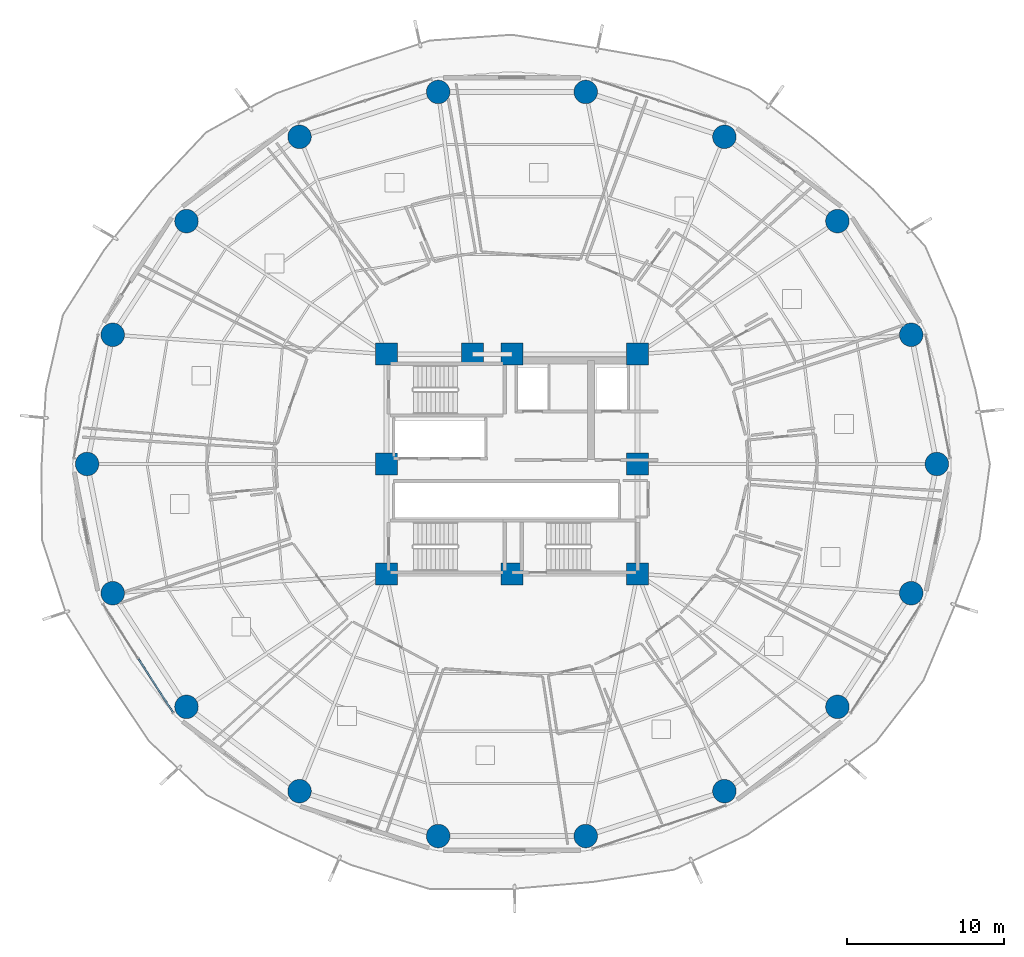
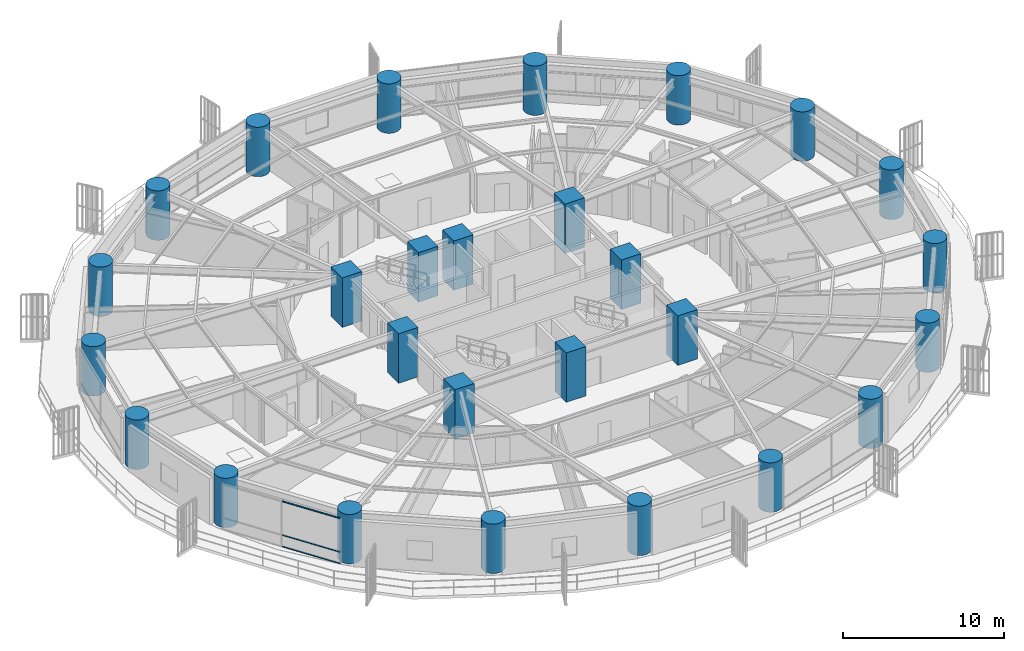
# One storey, part 1 of 32: 27 columns, 3 members, 1 element without a shape of its own.
"""IFC4 building model written with IfcOpenShell, lengths in metres."""

from ifc_helpers import new_model, si_unit, direction, frame, origin, origin_2d, place, context, subcontext, project, spatial, rectangle, hollow_rectangle, circle, extrude, material, layer, layer_set, material_profile, profile_set, type_object, element, aggregate, save


model = new_model("IFC4")

# Units and contexts
model_context = context("Model", 3, precision=1e-05, world=origin(), true_north=direction((0.0, 1.0)))
body_context = subcontext(model_context, "Body", "Model", "MODEL_VIEW")
ifc_project = project(units=[si_unit("LENGTHUNIT", "METRE"), si_unit("AREAUNIT", "SQUARE_METRE"), si_unit("VOLUMEUNIT", "CUBIC_METRE"), si_unit("PLANEANGLEUNIT", "RADIAN"), si_unit("MASSUNIT", "GRAM", prefix="KILO")], contexts=[model_context])

# Site, building, storey
site_placement = place(None, origin())
site = spatial("IfcSite", under=ifc_project, at=site_placement, CompositionType="ELEMENT")
building_placement = place(site_placement, origin())
building = spatial("IfcBuilding", under=site, at=building_placement, Name="Kelanora Arch Commons", CompositionType="ELEMENT")
storey_placement = place(building_placement, frame((0.0, 0.0, 56.25)))
storey = spatial("IfcBuildingStorey", under=building, at=storey_placement, Name="L14", CompositionType="ELEMENT", Elevation=56.25)

# Columns
ifc_material_1 = material(Name="Concrete C60/75", Category="concrete")
ifc_material_profile_1 = material_profile(ifc_material_1, circle(Radius=0.75, at=origin_2d()), Name="RCC1500")
ifc_profile_set_1 = profile_set([ifc_material_profile_1], Name="Concrete C60/75")
column_type_1 = type_object("IfcColumnType", Name="COL-PERIM-Z1", PredefinedType="COLUMN", material=ifc_profile_set_1)
for number, where, z_axis, x_axis, name in (
    (1, (101.080078125, 58.0, 0.0), (0.0, 0.0, 1.0), (1.0, 0.0, 0.0), "Perimeter Ring Column CP-00 L14"),
    (2, (99.447021484375, 66.23583984375, 0.0), (0.0, 0.0, 1.0), (1.0, 0.0, 0.0), "Perimeter Ring Column CP-02 L14"),
    (3, (94.744384765625, 73.478271484375, 0.0), (0.0, 0.0, 1.0), (1.0, 0.0, 0.0), "Perimeter Ring Column CP-04 L14"),
    (4, (87.5400390625, 78.85400390625, 0.0), (0.0, 0.0, 1.0), (1.0, 0.0, 0.0), "Perimeter Ring Column CP-06 L14"),
    (5, (78.702392578125, 81.714111328125, 0.0), (0.0, 0.0, 1.0), (1.0, 0.0, 0.0), "Perimeter Ring Column CP-08 L14"),
    (6, (69.297607421875, 81.714111328125, 0.0), (0.0, 0.0, 1.0), (1.0, 0.0, 0.0), "Perimeter Ring Column CP-10 L14"),
    (7, (60.4599609375, 78.85400390625, 0.0), (0.0, 0.0, 1.0), (1.0, 0.0, 0.0), "Perimeter Ring Column CP-12 L14"),
    (8, (53.255615234375, 73.478271484375, 0.0), (0.0, 0.0, 1.0), (1.0, 0.0, 0.0), "Perimeter Ring Column CP-14 L14"),
    (9, (48.552978515625, 66.23583984375, 0.0), (0.0, 0.0, 1.0), (1.0, 0.0, 0.0), "Perimeter Ring Column CP-16 L14"),
    (10, (46.919921875, 58.0, 0.0), (0.0, 0.0, 1.0), (1.0, 0.0, 0.0), "Perimeter Ring Column CP-18 L14"),
    (11, (48.552978515625, 49.76416015625, 0.0), (0.0, 0.0, 1.0), (1.0, 0.0, 0.0), "Perimeter Ring Column CP-20 L14"),
    (12, (53.255615234375, 42.521728515625, 0.0), (0.0, 0.0, 1.0), (1.0, 0.0, 0.0), "Perimeter Ring Column CP-22 L14"),
    (13, (60.4599609375, 37.14599609375, 0.0), (0.0, 0.0, 1.0), (1.0, 0.0, 0.0), "Perimeter Ring Column CP-24 L14"),
    (14, (69.297607421875, 34.285888671875, 0.0), (0.0, 0.0, 1.0), (1.0, 0.0, 0.0), "Perimeter Ring Column CP-26 L14"),
    (15, (78.702392578125, 34.285888671875, 0.0), (0.0, 0.0, 1.0), (1.0, 0.0, 0.0), "Perimeter Ring Column CP-28 L14"),
    (16, (87.5400390625, 37.14599609375, 0.0), (0.0, 0.0, 1.0), (1.0, 0.0, 0.0), "Perimeter Ring Column CP-30 L14"),
    (17, (94.744384765625, 42.521728515625, 0.0), (0.0, 0.0, 1.0), (1.0, 0.0, 0.0), "Perimeter Ring Column CP-32 L14"),
    (18, (99.447021484375, 49.76416015625, 0.0), (0.0, 0.0, 1.0), (1.0, 0.0, 0.0), "Perimeter Ring Column CP-34 L14"),
):
    element("IfcColumn", number, at=place(storey_placement, frame(where, z_axis=z_axis, x_axis=x_axis)), inside=storey, type_object=column_type_1, Name=name, PredefinedType="COLUMN", context=body_context, shape_type="SweptSolid", body=[
        extrude(circle(Radius=0.75, at=origin_2d()), origin(), (0.0, 0.0, 1.0), 3.75),
    ])
ifc_material_profile_2 = material_profile(ifc_material_1, rectangle(XDim=1.39990234375, YDim=1.39990234375, at=origin_2d()), Name="RC1400x1400")
ifc_profile_set_2 = profile_set([ifc_material_profile_2], Name="Concrete C60/75")
column_type_2 = type_object("IfcColumnType", Name="COL-PIL-LOW", PredefinedType="PILASTER", material=ifc_profile_set_2)
for number, where, z_axis, x_axis, name in (
    (19, (66.0, 51.0, 0.0), (0.0, 0.0, 1.0), (1.0, 0.0, 0.0), "Core Pilaster Column CP1 L14"),
    (20, (74.0, 51.0, 0.0), (0.0, 0.0, 1.0), (1.0, 0.0, 0.0), "Core Pilaster Column CP2 L14"),
    (21, (82.0, 51.0, 0.0), (0.0, 0.0, 1.0), (1.0, 0.0, 0.0), "Core Pilaster Column CP3 L14"),
    (22, (82.0, 58.0, 0.0), (0.0, 0.0, 1.0), (1.0, 0.0, 0.0), "Core Pilaster Column CP4 L14"),
    (23, (82.0, 65.0, 0.0), (0.0, 0.0, 1.0), (1.0, 0.0, 0.0), "Core Pilaster Column CP5 L14"),
    (24, (74.0, 65.0, 0.0), (0.0, 0.0, 1.0), (1.0, 0.0, 0.0), "Core Pilaster Column CP6 L14"),
    (25, (71.47998046875, 65.0, 0.0), (0.0, 0.0, 1.0), (1.0, 0.0, 0.0), "Core Pilaster Column CP9 L14"),
    (26, (66.0, 65.0, 0.0), (0.0, 0.0, 1.0), (1.0, 0.0, 0.0), "Core Pilaster Column CP7 L14"),
    (27, (66.0, 58.0, 0.0), (0.0, 0.0, 1.0), (1.0, 0.0, 0.0), "Core Pilaster Column CP8 L14"),
):
    element("IfcColumn", number, at=place(storey_placement, frame(where, z_axis=z_axis, x_axis=x_axis)), inside=storey, type_object=column_type_2, Name=name, PredefinedType="PILASTER", context=body_context, shape_type="SweptSolid", body=[
        extrude(rectangle(XDim=1.39990234375, YDim=1.39990234375, at=origin_2d()), origin(), (0.0, 0.0, 1.0), 3.75),
    ])

# Curtain wall, members
ifc_material_2 = material(Name="Terracotta ceramic-fritted low-E glass and aluminium", Category="masonry")
ifc_layer = layer(ifc_material_2, 0.159912109375)
ifc_layer_set = layer_set([ifc_layer], Name="Terracotta ceramic-fritted low-E glass and aluminium")
curtain_wall_type = type_object("IfcCurtainWallType", Name="CW-SYS-01", PredefinedType="NOTDEFINED", material=ifc_layer_set)
curtain_wall_placement = place(storey_placement, origin())
curtain_wall = element("IfcCurtainWall", 28, at=curtain_wall_placement, inside=storey, type_object=curtain_wall_type, Name="Unitised Curtain Wall L14-B10", PredefinedType="NOTDEFINED")
ifc_material_3 = material(Name="Powder-coated aluminium terracotta", Category="masonry")
ifc_material_profile_3 = material_profile(ifc_material_3, hollow_rectangle(XDim=0.1201171875, YDim=0.06005859375, WallThickness=0.0048828125, InnerFilletRadius=0.0048828125, OuterFilletRadius=0.010009765625, at=origin_2d()), Name="CWT120x60")
ifc_profile_set_3 = profile_set([ifc_material_profile_3], Name="Powder-coated aluminium terracotta")
member_type = type_object("IfcMemberType", Name="CWT-STD", PredefinedType="USERDEFINED", material=ifc_profile_set_3)
member_1_placement = place(storey_placement, frame((50.185546875, 45.588134765625, 0.030029296875), z_axis=(0.542997414293, -0.839734367566, 0.0), x_axis=(0.839734367566, 0.542997414293, 0.0)))
member_1 = element("IfcMember", 29, at=member_1_placement, type_object=member_type, Name="CW-01 transom 2.1", ObjectType="TRANSOM", PredefinedType="USERDEFINED", context=body_context, shape_type="SweptSolid", body=[
    extrude(hollow_rectangle(XDim=0.1201171875, YDim=0.06005859375, WallThickness=0.0048828125, InnerFilletRadius=0.0048828125, OuterFilletRadius=0.010009765625, at=origin_2d()), origin(), (0.0, 0.0, 1.0), 4.067626953125),
])
member_2_placement = place(storey_placement, frame((50.185546875, 45.588134765625, 0.89990234375), z_axis=(0.542997414293, -0.839734367566, 0.0), x_axis=(0.839734367566, 0.542997414293, 0.0)))
member_2 = element("IfcMember", 30, at=member_2_placement, type_object=member_type, Name="CW-01 transom 2.2", ObjectType="TRANSOM", PredefinedType="USERDEFINED", context=body_context, shape_type="SweptSolid", body=[
    extrude(hollow_rectangle(XDim=0.1201171875, YDim=0.06005859375, WallThickness=0.0048828125, InnerFilletRadius=0.0048828125, OuterFilletRadius=0.010009765625, at=origin_2d()), origin(), (0.0, 0.0, 1.0), 4.067626953125),
])
member_3_placement = place(storey_placement, frame((50.185546875, 45.588134765625, 3.445068359375), z_axis=(0.542997414293, -0.839734367566, 0.0), x_axis=(0.839734367566, 0.542997414293, 0.0)))
member_3 = element("IfcMember", 31, at=member_3_placement, type_object=member_type, Name="CW-01 transom 2.3", ObjectType="TRANSOM", PredefinedType="USERDEFINED", context=body_context, shape_type="SweptSolid", body=[
    extrude(hollow_rectangle(XDim=0.1201171875, YDim=0.06005859375, WallThickness=0.0048828125, InnerFilletRadius=0.0048828125, OuterFilletRadius=0.010009765625, at=origin_2d()), origin(), (0.0, 0.0, 1.0), 4.067626953125),
])
aggregate(curtain_wall, [member_1, member_2, member_3])

save(model, "model.ifc")
